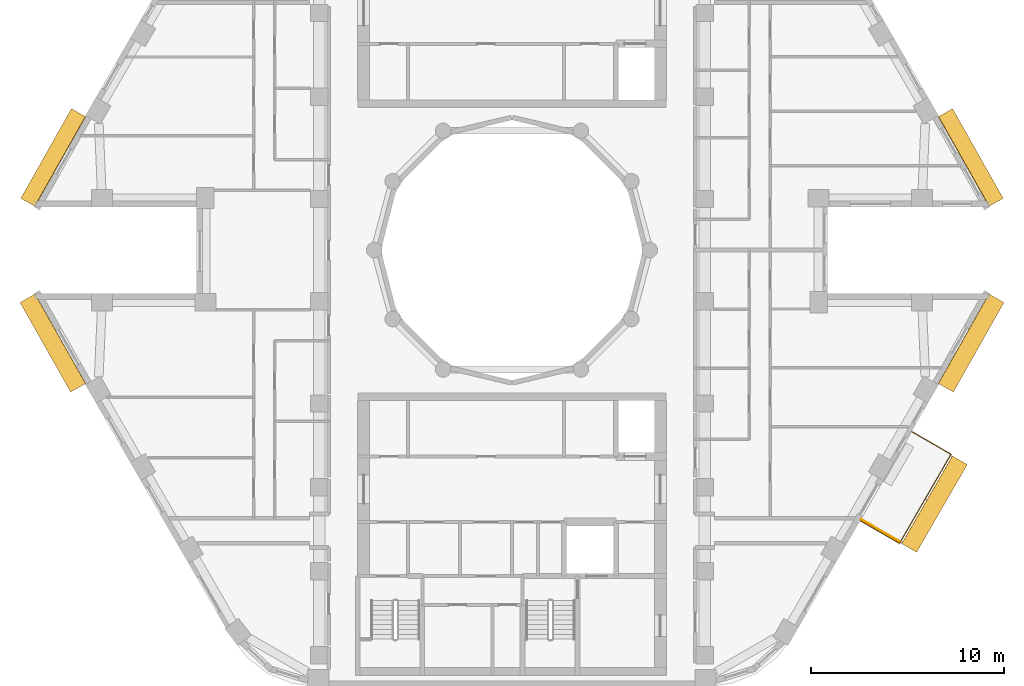
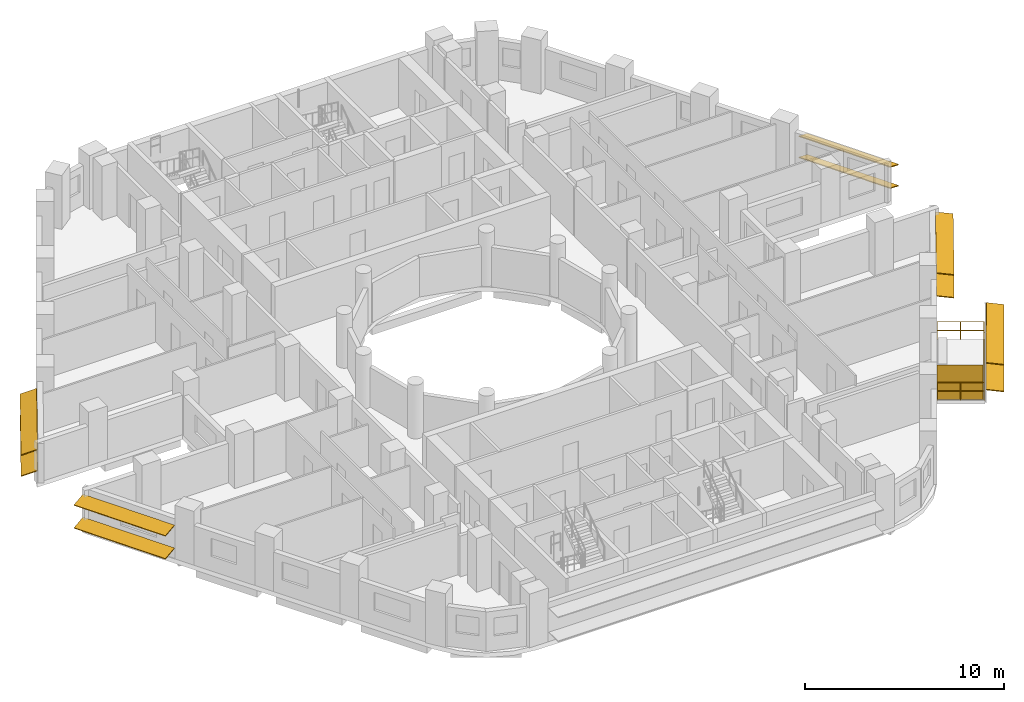
# One storey, part 11 of 12: 11 shading devices, 1 railing.
"""IFC4 building model written with IfcOpenShell, lengths in metres."""

from ifc_helpers import new_model, si_unit, direction, frame, origin, origin_2d, place, context, subcontext, project, spatial, rectangle, circle, extrude, material, layer, layer_set, material_profile, profile_set, type_object, element, save


model = new_model("IFC4")

# Units and contexts
model_context = context("Model", 3, precision=1e-05, world=origin(), true_north=direction((0.0, 1.0)))
body_context = subcontext(model_context, "Body", "Model", "MODEL_VIEW")
ifc_project = project(units=[si_unit("LENGTHUNIT", "METRE"), si_unit("AREAUNIT", "SQUARE_METRE"), si_unit("VOLUMEUNIT", "CUBIC_METRE"), si_unit("PLANEANGLEUNIT", "RADIAN"), si_unit("MASSUNIT", "GRAM", prefix="KILO")], contexts=[model_context])

# Site, building, storey
site_placement = place(None, origin())
site = spatial("IfcSite", under=ifc_project, at=site_placement, CompositionType="ELEMENT")
building_placement = place(site_placement, origin())
building = spatial("IfcBuilding", under=site, at=building_placement, Name="Nakaniwa Court", CompositionType="ELEMENT")
storey_placement = place(building_placement, frame((0.0, 0.0, 229.5)))
storey = spatial("IfcBuildingStorey", under=building, at=storey_placement, Name="L59", CompositionType="ELEMENT", Elevation=229.5)

# Railing
ifc_material_1 = material(Name="Black powder-coated steel flat bar balustrade S275", Category="steel")
railing_type = type_object("IfcRailingType", Name="Black metal balcony guard 1100", PredefinedType="GUARDRAIL", material=ifc_material_1)
railing_placement = place(storey_placement, frame((98.056396484375, 65.974609375, -0.050048828125)))
element("IfcRailing", 1, at=railing_placement, inside=storey, type_object=railing_type, Name="L59 balcony guard 01", PredefinedType="GUARDRAIL", context=body_context, shape_type="SweptSolid", body=[
    extrude(circle(Radius=0.02392578125, at=origin_2d()), frame((0.0, 0.0, 1.076171875), z_axis=(0.866025363618, -0.50000006957, 0.0), x_axis=(0.50000006957, 0.866025363618, 0.0)), (0.0, 0.0, 1.0), 2.35986328125),
    extrude(circle(Radius=0.02392578125, at=origin_2d()), frame((0.0, 0.0, 0.550048828125), z_axis=(0.866025363618, -0.50000006957, 0.0), x_axis=(0.50000006957, 0.866025363618, 0.0)), (0.0, 0.0, 1.0), 2.35986328125),
    extrude(circle(Radius=0.02392578125, at=origin_2d()), frame((2.043701171875, -1.179931640625, 1.076171875), z_axis=(0.500022176014, 0.866012600078, 0.0), x_axis=(-0.866012600078, 0.500022176014, 0.0)), (0.0, 0.0, 1.0), 5.335205078125),
    extrude(circle(Radius=0.02392578125, at=origin_2d()), frame((2.043701171875, -1.179931640625, 0.550048828125), z_axis=(0.500022176014, 0.866012600078, 0.0), x_axis=(-0.866012600078, 0.500022176014, 0.0)), (0.0, 0.0, 1.0), 5.335205078125),
    extrude(circle(Radius=0.02392578125, at=origin_2d()), frame((4.71142578125, 3.4404296875, 1.076171875), z_axis=(-0.866025363618, 0.50000006957, 0.0), x_axis=(-0.50000006957, -0.866025363618, 0.0)), (0.0, 0.0, 1.0), 2.35986328125),
    extrude(circle(Radius=0.02392578125, at=origin_2d()), frame((4.71142578125, 3.4404296875, 0.550048828125), z_axis=(-0.866025363618, 0.50000006957, 0.0), x_axis=(-0.50000006957, -0.866025363618, 0.0)), (0.0, 0.0, 1.0), 2.35986328125),
    extrude(circle(Radius=0.02099609375, at=origin_2d()), origin(), (0.0, 0.0, 1.0), 1.052001953125),
    extrude(circle(Radius=0.02099609375, at=origin_2d()), frame((1.02197265625, -0.58984375, 0.0)), (0.0, 0.0, 1.0), 1.052001953125),
    extrude(circle(Radius=0.02099609375, at=origin_2d()), frame((2.043701171875, -1.179931640625, 0.0)), (0.0, 0.0, 1.0), 1.052001953125),
    extrude(circle(Radius=0.02099609375, at=origin_2d()), frame((2.5771484375, -0.255859375, 0.0)), (0.0, 0.0, 1.0), 1.052001953125),
    extrude(circle(Radius=0.02099609375, at=origin_2d()), frame((3.11083984375, 0.668212890625, 0.0)), (0.0, 0.0, 1.0), 1.052001953125),
    extrude(circle(Radius=0.02099609375, at=origin_2d()), frame((3.644287109375, 1.59228515625, 0.0)), (0.0, 0.0, 1.0), 1.052001953125),
    extrude(circle(Radius=0.02099609375, at=origin_2d()), frame((4.177978515625, 2.516357421875, 0.0)), (0.0, 0.0, 1.0), 1.052001953125),
    extrude(circle(Radius=0.02099609375, at=origin_2d()), frame((4.71142578125, 3.4404296875, 0.0)), (0.0, 0.0, 1.0), 1.052001953125),
    extrude(circle(Radius=0.02099609375, at=origin_2d()), frame((3.689453125, 4.0302734375, 0.0)), (0.0, 0.0, 1.0), 1.052001953125),
    extrude(circle(Radius=0.02099609375, at=origin_2d()), frame((2.667724609375, 4.620361328125, 0.0)), (0.0, 0.0, 1.0), 1.052001953125),
])

# Shading devices
ifc_material_2 = material(Name="Black powder-coated aluminium slat screen", Category="aluminium")
ifc_layer = layer(ifc_material_2, 0.0400390625)
ifc_layer_set = layer_set([ifc_layer], Name="Black powder-coated aluminium slat screen")
shading_device_type_1 = type_object("IfcShadingDeviceType", Name="Koshi screen black metal", PredefinedType="USERDEFINED", material=ifc_layer_set)
shading_device_placement = place(storey_placement, frame((99.0966796875, 65.466552734375, -0.050048828125), z_axis=(0.0, 0.0, 1.0), x_axis=(0.500016626402, 0.866015804314, 0.0)))
element("IfcShadingDevice", 2, at=shading_device_placement, inside=storey, type_object=shading_device_type_1, Name="L59 balcony SCREEN 01 W", ObjectType="KOSHI SCREEN", PredefinedType="USERDEFINED", context=body_context, shape_type="SweptSolid", body=[
    extrude(rectangle(XDim=0.0400390625, YDim=2.31005859375, at=origin_2d()), origin(), (0.0, 0.0, 1.0), 2.10009765625),
])
ifc_material_3 = material(Name="Perforated charcoal ceramic louvre blade")
ifc_material_profile = material_profile(ifc_material_3, rectangle(XDim=0.89990234375, YDim=0.050048828125, at=origin_2d()), Name="Perforated ceramic louvre blade")
ifc_profile_set = profile_set([ifc_material_profile], Name="Perforated charcoal ceramic louvre blade")
shading_device_type_2 = type_object("IfcShadingDeviceType", Name="Perforated ceramic louvre blade", PredefinedType="JALOUSIE", material=ifc_profile_set)
for number, where, z_axis, x_axis, name in (
    (3, (100.595947265625, 64.5546875, 0.5), (0.500021380676, 0.866013059294, 0.0), (-0.858604197519, 0.495743628448, 0.13052619222), "L59 perforated ceramic louvre blade 01 1"),
    (4, (100.595947265625, 64.5546875, 2.14990234375), (0.500021380676, 0.866013059294, 0.0), (-0.858604197519, 0.495743628448, 0.13052619222), "L59 perforated ceramic louvre blade 01 2"),
):
    element("IfcShadingDevice", number, at=place(storey_placement, frame(where, z_axis=z_axis, x_axis=x_axis)), inside=storey, type_object=shading_device_type_2, Name=name, PredefinedType="JALOUSIE", context=body_context, shape_type="SweptSolid", body=[
        extrude(rectangle(XDim=0.89990234375, YDim=0.050048828125, at=origin_2d()), origin(), (0.0, 0.0, 1.0), 5.255126953125),
    ])
for number, where, z_axis, x_axis, name in (
    (5, (105.103759765625, 82.480224609375, 0.550048828125), (-0.492088911474, 0.870544946114, 0.0), (-0.804858877011, -0.454958851288, 0.38107037635), "L59 perforated ceramic louvre blade w02 1"),
    (6, (105.103759765625, 82.480224609375, 1.845458984375), (-0.492088911474, 0.870544946114, 0.0), (-0.804858877011, -0.454958851288, 0.38107037635), "L59 perforated ceramic louvre blade w02 2"),
    (7, (57.5224609375, 87.126220703125, 0.550048828125), (-0.492088911474, -0.870544946114, 0.0), (0.804858877011, -0.454958851288, 0.38107037635), "L59 perforated ceramic louvre blade w14 1"),
    (8, (57.5224609375, 87.126220703125, 1.845458984375), (-0.492088911474, -0.870544946114, 0.0), (0.804858877011, -0.454958851288, 0.38107037635), "L59 perforated ceramic louvre blade w14 2"),
):
    element("IfcShadingDevice", number, at=place(storey_placement, frame(where, z_axis=z_axis, x_axis=x_axis)), inside=storey, type_object=shading_device_type_2, Name=name, PredefinedType="JALOUSIE", context=body_context, shape_type="SweptSolid", body=[
        extrude(rectangle(XDim=0.89990234375, YDim=0.050048828125, at=origin_2d()), origin(), (0.0, 0.0, 1.0), 5.3369140625),
    ])
for number, where, z_axis, x_axis, name in (
    (9, (54.87548828125, 77.508056640625, 0.550048828125), (0.492108509021, -0.870533868008, 0.0), (0.862886698285, 0.487785601632, 0.132256390257), "L59 perforated ceramic louvre blade w20 1"),
    (10, (54.87548828125, 77.508056640625, 1.955810546875), (0.492108509021, -0.870533868008, 0.0), (0.862886698285, 0.487785601632, 0.132256390257), "L59 perforated ceramic louvre blade w20 2"),
    (11, (102.498291015625, 72.8623046875, 0.550048828125), (0.492108509021, 0.870533868008, 0.0), (-0.862886698285, 0.487785601632, 0.132256390257), "L59 perforated ceramic louvre blade w32 1"),
    (12, (102.498291015625, 72.8623046875, 1.955810546875), (0.492108509021, 0.870533868008, 0.0), (-0.862886698285, 0.487785601632, 0.132256390257), "L59 perforated ceramic louvre blade w32 2"),
):
    element("IfcShadingDevice", number, at=place(storey_placement, frame(where, z_axis=z_axis, x_axis=x_axis)), inside=storey, type_object=shading_device_type_2, Name=name, PredefinedType="JALOUSIE", context=body_context, shape_type="SweptSolid", body=[
        extrude(rectangle(XDim=0.89990234375, YDim=0.050048828125, at=origin_2d()), origin(), (0.0, 0.0, 1.0), 5.336669921875),
    ])

save(model, "model.ifc")
